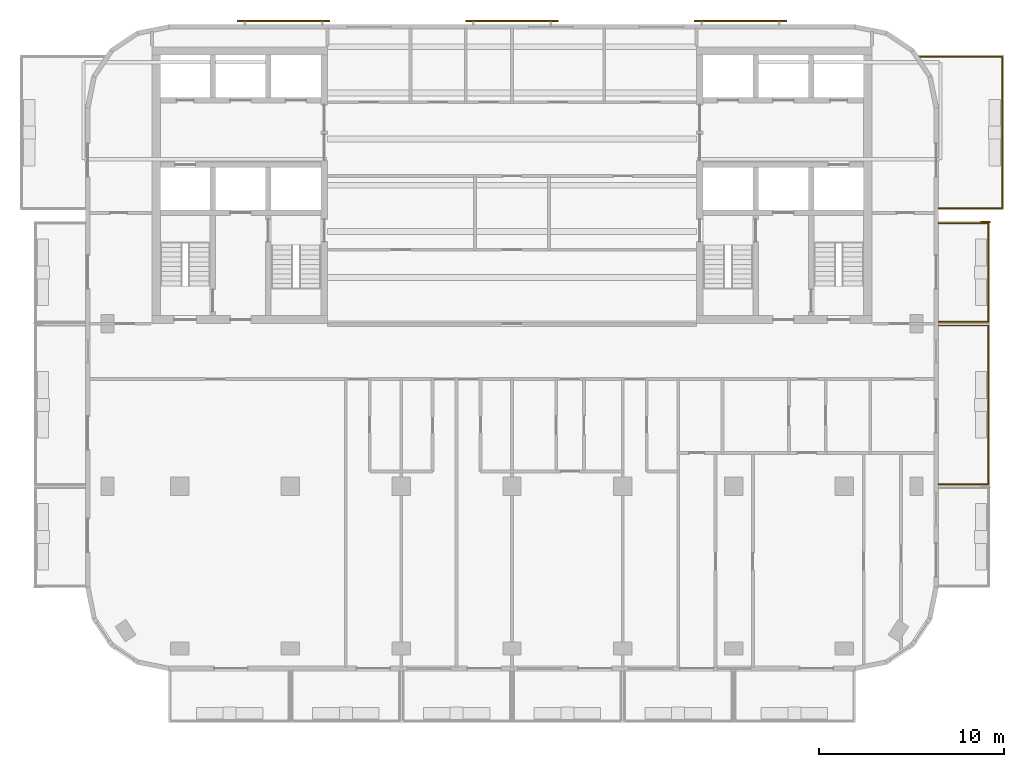
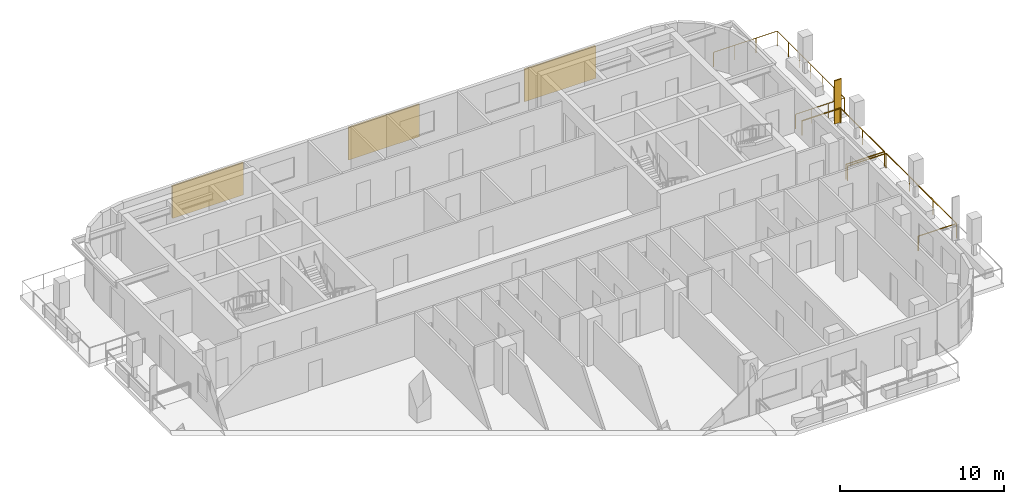
# One storey, part 10 of 11: 4 shading devices, 3 railings.
"""IFC4 building model written with IfcOpenShell, lengths in metres."""

from ifc_helpers import new_model, si_unit, direction, frame, origin, origin_2d, place, context, subcontext, project, spatial, rectangle, circle, extrude, material, layer, layer_set, type_object, element, save


model = new_model("IFC4")

# Units and contexts
model_context = context("Model", 3, precision=1e-05, world=origin(), true_north=direction((0.0, 1.0)))
body_context = subcontext(model_context, "Body", "Model", "MODEL_VIEW")
ifc_project = project(units=[si_unit("LENGTHUNIT", "METRE"), si_unit("AREAUNIT", "SQUARE_METRE"), si_unit("VOLUMEUNIT", "CUBIC_METRE"), si_unit("PLANEANGLEUNIT", "RADIAN"), si_unit("MASSUNIT", "GRAM", prefix="KILO")], contexts=[model_context])

# Site, building, storey
site_placement = place(None, origin())
site = spatial("IfcSite", under=ifc_project, at=site_placement, CompositionType="ELEMENT")
building_placement = place(site_placement, origin())
building = spatial("IfcBuilding", under=site, at=building_placement, Name="Torana Hotel and Residences", CompositionType="ELEMENT")
storey_placement = place(building_placement, frame((0.0, 0.0, 266.60009765625)))
storey = spatial("IfcBuildingStorey", under=building, at=storey_placement, Name="L70", CompositionType="ELEMENT", Elevation=266.60009765625)

# Shading device
ifc_material_1 = material(Name="Black powder coated aluminium", Category="aluminium")
ifc_layer_1 = layer(ifc_material_1, 0.080078125)
ifc_layer_set_1 = layer_set([ifc_layer_1], Name="FN1 VERTICAL FIN 500x80")
shading_device_type_1 = type_object("IfcShadingDeviceType", Name="FN1 VERTICAL FIN 500x80", PredefinedType="USERDEFINED", material=ifc_layer_set_1)
shading_device_placement = place(storey_placement, frame((25.64990234375, -9.489990234375, 0.0), z_axis=(0.0, 0.0, 1.0), x_axis=(0.0, -1.0, 0.0)))
element("IfcShadingDevice", 1, at=shading_device_placement, inside=storey, type_object=shading_device_type_1, Name="Fin 13", ObjectType="FIN", PredefinedType="USERDEFINED", context=body_context, shape_type="SweptSolid", body=[
    extrude(rectangle(XDim=0.080078125, YDim=0.5, at=origin_2d()), origin(), (0.0, 0.0, 1.0), 3.219970703125),
])

# Railings
ifc_material_2 = material(Name="Laminated glass balustrade with black handrail", Category="glass")
railing_type = type_object("IfcRailingType", Name="GR1 BALCONY GUARD 1100 GLASS", PredefinedType="GUARDRAIL", material=ifc_material_2)
railing_1_placement = place(storey_placement, frame((23.10009765625, -15.10009765625, 0.0)))
element("IfcRailing", 2, at=railing_1_placement, inside=storey, type_object=railing_type, Name="Balcony guard 12", PredefinedType="GUARDRAIL", context=body_context, shape_type="SweptSolid", body=[
    extrude(circle(Radius=0.02392578125, at=origin_2d()), frame((0.0, 0.0, 1.076171875), z_axis=(1.0, 0.0, 0.0), x_axis=(0.0, 1.0, 0.0)), (0.0, 0.0, 1.0), 2.699951171875),
    extrude(circle(Radius=0.02392578125, at=origin_2d()), frame((2.699951171875, 0.0, 1.076171875), z_axis=(0.0, -1.0, 0.0), x_axis=(1.0, 0.0, 0.0)), (0.0, 0.0, 1.0), 8.599853515625),
    extrude(circle(Radius=0.02392578125, at=origin_2d()), frame((2.699951171875, -8.599853515625, 1.076171875), z_axis=(-1.0, 0.0, 0.0), x_axis=(0.0, -1.0, 0.0)), (0.0, 0.0, 1.0), 2.699951171875),
    extrude(circle(Radius=0.02099609375, at=origin_2d()), origin(), (0.0, 0.0, 1.0), 1.052001953125),
    extrude(circle(Radius=0.02099609375, at=origin_2d()), frame((2.699951171875, 0.0, 0.0)), (0.0, 0.0, 1.0), 1.052001953125),
    extrude(circle(Radius=0.02099609375, at=origin_2d()), frame((2.699951171875, -2.86669921875, 0.0)), (0.0, 0.0, 1.0), 1.052001953125),
    extrude(circle(Radius=0.02099609375, at=origin_2d()), frame((2.699951171875, -5.733154296875, 0.0)), (0.0, 0.0, 1.0), 1.052001953125),
    extrude(circle(Radius=0.02099609375, at=origin_2d()), frame((2.699951171875, -8.599853515625, 0.0)), (0.0, 0.0, 1.0), 1.052001953125),
    extrude(circle(Radius=0.02099609375, at=origin_2d()), frame((0.0, -8.599853515625, 0.0)), (0.0, 0.0, 1.0), 1.052001953125),
])
railing_2_placement = place(storey_placement, frame((23.10009765625, -9.550048828125, 0.0)))
element("IfcRailing", 3, at=railing_2_placement, inside=storey, type_object=railing_type, Name="Balcony guard 13", PredefinedType="GUARDRAIL", context=body_context, shape_type="SweptSolid", body=[
    extrude(circle(Radius=0.02392578125, at=origin_2d()), frame((0.0, 0.0, 1.076171875), z_axis=(1.0, 0.0, 0.0), x_axis=(0.0, 1.0, 0.0)), (0.0, 0.0, 1.0), 2.699951171875),
    extrude(circle(Radius=0.02392578125, at=origin_2d()), frame((2.699951171875, 0.0, 1.076171875), z_axis=(0.0, -1.0, 0.0), x_axis=(1.0, 0.0, 0.0)), (0.0, 0.0, 1.0), 5.349853515625),
    extrude(circle(Radius=0.02392578125, at=origin_2d()), frame((2.699951171875, -5.349853515625, 1.076171875), z_axis=(-1.0, 0.0, 0.0), x_axis=(0.0, -1.0, 0.0)), (0.0, 0.0, 1.0), 2.699951171875),
    extrude(circle(Radius=0.02099609375, at=origin_2d()), origin(), (0.0, 0.0, 1.0), 1.052001953125),
    extrude(circle(Radius=0.02099609375, at=origin_2d()), frame((2.699951171875, 0.0, 0.0)), (0.0, 0.0, 1.0), 1.052001953125),
    extrude(circle(Radius=0.02099609375, at=origin_2d()), frame((2.699951171875, -2.6748046875, 0.0)), (0.0, 0.0, 1.0), 1.052001953125),
    extrude(circle(Radius=0.02099609375, at=origin_2d()), frame((2.699951171875, -5.349853515625, 0.0)), (0.0, 0.0, 1.0), 1.052001953125),
    extrude(circle(Radius=0.02099609375, at=origin_2d()), frame((0.0, -5.349853515625, 0.0)), (0.0, 0.0, 1.0), 1.052001953125),
])
railing_3_placement = place(storey_placement, frame((22.07080078125, -0.550048828125, 0.0)))
element("IfcRailing", 4, at=railing_3_placement, inside=storey, type_object=railing_type, Name="Balcony guard 14", PredefinedType="GUARDRAIL", context=body_context, shape_type="SweptSolid", body=[
    extrude(circle(Radius=0.02392578125, at=origin_2d()), frame((0.0, 0.0, 1.076171875), z_axis=(1.0, 0.0, 0.0), x_axis=(0.0, 1.0, 0.0)), (0.0, 0.0, 1.0), 4.479248046875),
    extrude(circle(Radius=0.02392578125, at=origin_2d()), frame((4.479248046875, 0.0, 1.076171875), z_axis=(0.0, -1.0, 0.0), x_axis=(1.0, 0.0, 0.0)), (0.0, 0.0, 1.0), 8.199951171875),
    extrude(circle(Radius=0.02392578125, at=origin_2d()), frame((4.479248046875, -8.199951171875, 1.076171875), z_axis=(-1.0, 0.0, 0.0), x_axis=(0.0, -1.0, 0.0)), (0.0, 0.0, 1.0), 3.449951171875),
    extrude(circle(Radius=0.02099609375, at=origin_2d()), origin(), (0.0, 0.0, 1.0), 1.052001953125),
    extrude(circle(Radius=0.02099609375, at=origin_2d()), frame((1.4931640625, 0.0, 0.0)), (0.0, 0.0, 1.0), 1.052001953125),
    extrude(circle(Radius=0.02099609375, at=origin_2d()), frame((2.986083984375, 0.0, 0.0)), (0.0, 0.0, 1.0), 1.052001953125),
    extrude(circle(Radius=0.02099609375, at=origin_2d()), frame((4.479248046875, 0.0, 0.0)), (0.0, 0.0, 1.0), 1.052001953125),
    extrude(circle(Radius=0.02099609375, at=origin_2d()), frame((4.479248046875, -1.36669921875, 0.0)), (0.0, 0.0, 1.0), 1.052001953125),
    extrude(circle(Radius=0.02099609375, at=origin_2d()), frame((4.479248046875, -2.7333984375, 0.0)), (0.0, 0.0, 1.0), 1.052001953125),
    extrude(circle(Radius=0.02099609375, at=origin_2d()), frame((4.479248046875, -4.10009765625, 0.0)), (0.0, 0.0, 1.0), 1.052001953125),
    extrude(circle(Radius=0.02099609375, at=origin_2d()), frame((4.479248046875, -5.466552734375, 0.0)), (0.0, 0.0, 1.0), 1.052001953125),
    extrude(circle(Radius=0.02099609375, at=origin_2d()), frame((4.479248046875, -6.833251953125, 0.0)), (0.0, 0.0, 1.0), 1.052001953125),
    extrude(circle(Radius=0.02099609375, at=origin_2d()), frame((4.479248046875, -8.199951171875, 0.0)), (0.0, 0.0, 1.0), 1.052001953125),
    extrude(circle(Radius=0.02099609375, at=origin_2d()), frame((3.329345703125, -8.199951171875, 0.0)), (0.0, 0.0, 1.0), 1.052001953125),
    extrude(circle(Radius=0.02099609375, at=origin_2d()), frame((2.17919921875, -8.199951171875, 0.0)), (0.0, 0.0, 1.0), 1.052001953125),
    extrude(circle(Radius=0.02099609375, at=origin_2d()), frame((1.029296875, -8.199951171875, 0.0)), (0.0, 0.0, 1.0), 1.052001953125),
])

# Shading devices
ifc_material_3 = material(Name="Concrete C40/50 precast", Category="concrete")
ifc_layer_2 = layer(ifc_material_3, 0.10009765625)
ifc_layer_set_2 = layer_set([ifc_layer_2], Name="SC1 PERFORATED BLOCK SCREEN PANEL 100")
shading_device_type_2 = type_object("IfcShadingDeviceType", Name="SC1 PERFORATED BLOCK SCREEN PANEL 100", PredefinedType="USERDEFINED", material=ifc_layer_set_2)
for number, where, z_axis, x_axis, name in (
    (5, (12.383544921875, 1.39990234375, 0.5), (0.0, 0.0, 1.0), (-1.0, 0.0, 0.0), "Perforated block screen L70"),
    (6, (0.0, 1.39990234375, 0.5), (0.0, 0.0, 1.0), (-1.0, 0.0, 0.0), "Perforated block screen L70"),
    (7, (-12.383544921875, 1.39990234375, 0.5), (0.0, 0.0, 1.0), (-1.0, 0.0, 0.0), "Perforated block screen L70"),
):
    element("IfcShadingDevice", number, at=place(storey_placement, frame(where, z_axis=z_axis, x_axis=x_axis)), inside=storey, type_object=shading_device_type_2, Name=name, ObjectType="SCREEN", PredefinedType="USERDEFINED", context=body_context, shape_type="SweptSolid", body=[
        extrude(rectangle(XDim=5.0, YDim=0.10009765625, at=origin_2d()), origin(), (0.0, 0.0, 1.0), 2.419921875),
    ])

save(model, "model.ifc")
